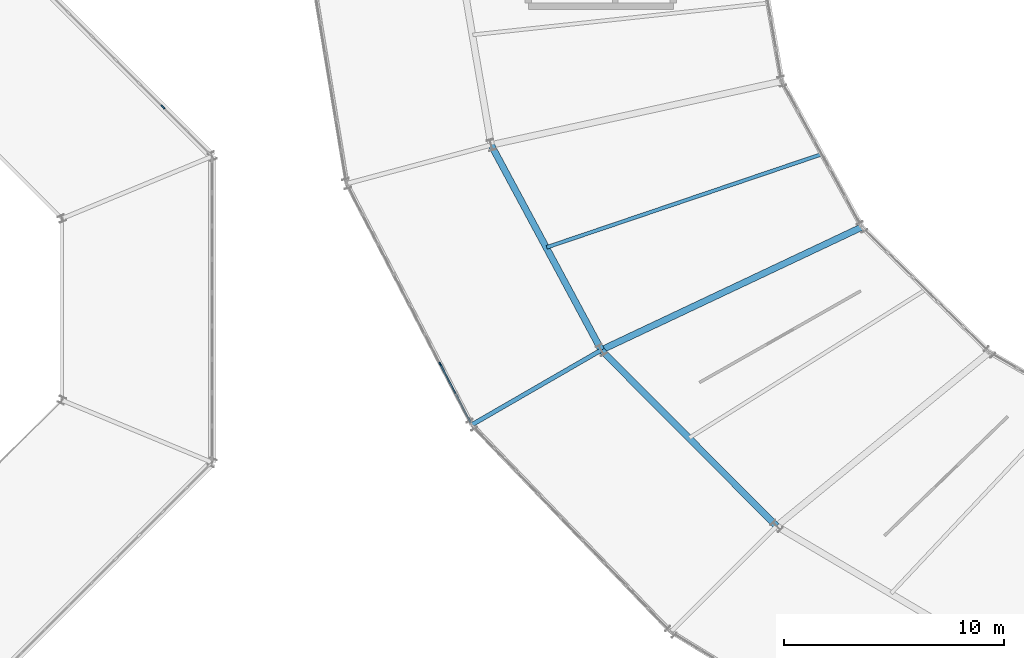
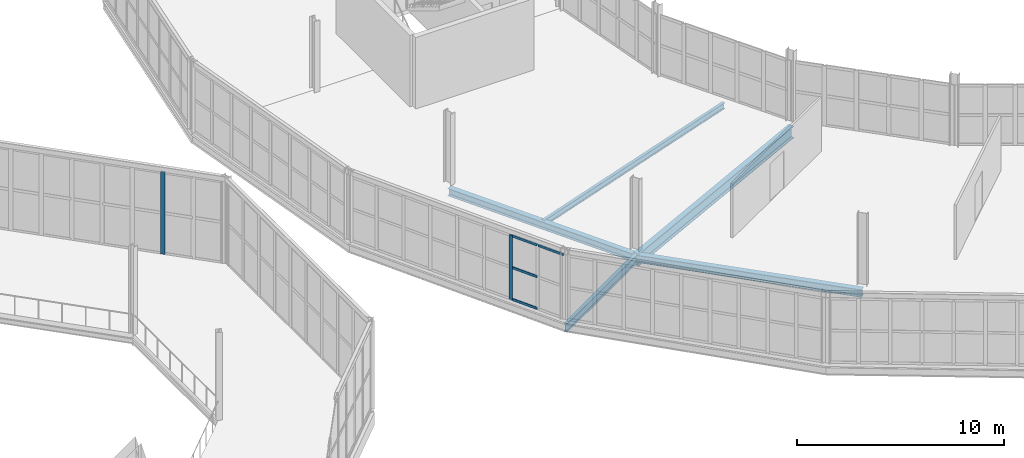
# One storey, part 52 of 161: 6 members, 5 beams, 2 elements without a shape of their own.
"""IFC4 building model written with IfcOpenShell, lengths in metres."""

from ifc_helpers import new_model, si_unit, direction, frame, origin, origin_2d, place, context, subcontext, project, spatial, rectangle, i_section, extrude, material, material_profile, profile_set, type_object, element, aggregate, save


model = new_model("IFC4")

# Units and contexts
model_context = context("Model", 3, precision=1e-05, world=origin(), true_north=direction((0.0, 1.0)))
body_context = subcontext(model_context, "Body", "Model", "MODEL_VIEW")
ifc_project = project(units=[si_unit("LENGTHUNIT", "METRE"), si_unit("AREAUNIT", "SQUARE_METRE"), si_unit("VOLUMEUNIT", "CUBIC_METRE"), si_unit("PLANEANGLEUNIT", "RADIAN"), si_unit("MASSUNIT", "GRAM", prefix="KILO")], contexts=[model_context])

# Site, building, storey
site_placement = place(None, origin())
site = spatial("IfcSite", under=ifc_project, at=site_placement, CompositionType="ELEMENT")
building_placement = place(site_placement, origin())
building = spatial("IfcBuilding", under=site, at=building_placement, Name="Kildeholm Park Wholesale Market", CompositionType="ELEMENT")
storey_placement = place(building_placement, frame((0.0, 0.0, 5.39990234375)))
storey = spatial("IfcBuildingStorey", under=building, at=storey_placement, Name="L01", CompositionType="ELEMENT", Elevation=5.39990234375)

# Beams
ifc_material_1 = material(Name="Steel S355", Category="steel")
ifc_material_profile_1 = material_profile(ifc_material_1, i_section(OverallWidth=0.300048828125, OverallDepth=0.699951171875, WebThickness=0.01708984375, FlangeThickness=0.031982421875, FilletRadius=0.027099609375, at=origin_2d()), Name="HEB 700")
ifc_profile_set_1 = profile_set([ifc_material_profile_1], Name="Steel S355")
beam_type_1 = type_object("IfcBeamType", Name="Beam B-G01 HEB 700", PredefinedType="BEAM", material=ifc_profile_set_1)
beam_1_placement = place(storey_placement, frame((67.389892578125, 75.75, -0.599853515625), z_axis=(-0.904317894242, -0.426859632846, 0.0), x_axis=(0.426859632846, -0.904317894242, 0.0)))
element("IfcBeam", 1, at=beam_1_placement, inside=storey, type_object=beam_type_1, Name="Beam BM-V1-L01-R1-14 BM-0126", PredefinedType="BEAM", context=body_context, shape_type="SweptSolid", body=[
    extrude(i_section(OverallWidth=0.300048828125, OverallDepth=0.699951171875, WebThickness=0.01708984375, FlangeThickness=0.031982421875, FilletRadius=0.027099609375, at=origin_2d()), origin(), (0.0, 0.0, 1.0), 13.119384765625),
])
ifc_material_profile_2 = material_profile(ifc_material_1, i_section(OverallWidth=0.199951171875, OverallDepth=0.5, WebThickness=0.01025390625, FlangeThickness=0.01611328125, FilletRadius=0.02099609375, at=origin_2d()), Name="IPE 500")
ifc_profile_set_2 = profile_set([ifc_material_profile_2], Name="Steel S355")
beam_type_2 = type_object("IfcBeamType", Name="Beam B-P03 IPE 500", PredefinedType="BEAM", material=ifc_profile_set_2)
beam_2_placement = place(storey_placement, frame((55.52587890625, 70.14990234375, -0.5), z_axis=(-0.866029536736, -0.499992841449, 0.0), x_axis=(0.499992841449, -0.866029536736, 0.0)))
element("IfcBeam", 2, at=beam_2_placement, inside=storey, type_object=beam_type_2, Name="Beam BM-V1-L01-R2-14 BM-0128", PredefinedType="BEAM", context=body_context, shape_type="SweptSolid", body=[
    extrude(i_section(OverallWidth=0.199951171875, OverallDepth=0.5, WebThickness=0.01025390625, FlangeThickness=0.01611328125, FilletRadius=0.02099609375, at=origin_2d()), origin(), (0.0, 0.0, 1.0), 6.7998046875),
])
ifc_material_profile_3 = material_profile(ifc_material_1, i_section(OverallWidth=0.300048828125, OverallDepth=0.43994140625, WebThickness=0.011474609375, FlangeThickness=0.02099609375, FilletRadius=0.027099609375, at=origin_2d()), Name="HEA 450")
ifc_profile_set_3 = profile_set([ifc_material_profile_3], Name="Steel S355")
beam_type_3 = type_object("IfcBeamType", Name="Beam B-R02 HEA 450", PredefinedType="BEAM", material=ifc_profile_set_3)
beam_3_placement = place(storey_placement, frame((50.510986328125, 79.48388671875, -0.469970703125), z_axis=(0.473287580572, -0.880907978211, 0.0), x_axis=(0.880907978211, 0.473287580572, 0.0)))
element("IfcBeam", 3, at=beam_3_placement, inside=storey, type_object=beam_type_3, Name="Beam BM-V1-L01-CM-13 BM-0121", PredefinedType="BEAM", context=body_context, shape_type="SweptSolid", body=[
    extrude(i_section(OverallWidth=0.300048828125, OverallDepth=0.43994140625, WebThickness=0.011474609375, FlangeThickness=0.02099609375, FilletRadius=0.027099609375, at=origin_2d()), origin(), (0.0, 0.0, 1.0), 10.595947265625),
])
beam_4_placement = place(storey_placement, frame((55.52587890625, 70.14990234375, -0.469970703125), z_axis=(0.705431576708, -0.708778026313, 0.0), x_axis=(0.708778026313, 0.705431576708, 0.0)))
element("IfcBeam", 4, at=beam_4_placement, inside=storey, type_object=beam_type_3, Name="Beam BM-V1-L01-CM-14 BM-0130", PredefinedType="BEAM", context=body_context, shape_type="SweptSolid", body=[
    extrude(i_section(OverallWidth=0.300048828125, OverallDepth=0.43994140625, WebThickness=0.011474609375, FlangeThickness=0.02099609375, FilletRadius=0.027099609375, at=origin_2d()), origin(), (0.0, 0.0, 1.0), 11.30810546875),
])
ifc_material_profile_4 = material_profile(ifc_material_1, i_section(OverallWidth=0.169921875, OverallDepth=0.360107421875, WebThickness=0.008056640625, FlangeThickness=0.0126953125, FilletRadius=0.01806640625, at=origin_2d()), Name="IPE 360")
ifc_profile_set_4 = profile_set([ifc_material_profile_4], Name="Steel S355")
beam_type_4 = type_object("IfcBeamType", Name="Beam J-04 IPE 360", PredefinedType="JOIST", material=ifc_profile_set_4)
beam_5_placement = place(storey_placement, frame((65.548095703125, 79.0595703125, -0.429931640625), z_axis=(-0.947177362485, -0.320710218103, 0.0), x_axis=(0.320710218103, -0.947177362485, 0.0)))
element("IfcBeam", 5, at=beam_5_placement, inside=storey, type_object=beam_type_4, Name="Beam JT-V1-L01-13 BM-0125", PredefinedType="JOIST", context=body_context, shape_type="SweptSolid", body=[
    extrude(i_section(OverallWidth=0.169921875, OverallDepth=0.360107421875, WebThickness=0.008056640625, FlangeThickness=0.0126953125, FilletRadius=0.01806640625, at=origin_2d()), origin(), (0.0, 0.0, 1.0), 13.20849609375),
])

# Curtain wall, member
ifc_material_2 = material(Name="Anodised aluminium and low-E double-glazed glass", Category="aluminium")
curtain_wall_type_1 = type_object("IfcCurtainWallType", Name="Market hall glazed arcade stick curtain wall CW-01", PredefinedType="NOTDEFINED", material=ifc_material_2)
curtain_wall_1_placement = place(storey_placement, origin())
curtain_wall_1 = element("IfcCurtainWall", 6, at=curtain_wall_1_placement, inside=storey, type_object=curtain_wall_type_1, Name="Curtain wall CW-V1-OT-13-1 CW-0064", PredefinedType="NOTDEFINED")
ifc_material_3 = material(Name="Anodised aluminium", Category="aluminium")
ifc_material_profile_5 = material_profile(ifc_material_3, rectangle(XDim=0.06494140625, YDim=0.179931640625, at=origin_2d()), Name="CWM 65x180")
ifc_profile_set_5 = profile_set([ifc_material_profile_5], Name="Anodised aluminium")
member_type_1 = type_object("IfcMemberType", Name="Curtain-wall mullion CWM-1 CWM 65x180", PredefinedType="MULLION", material=ifc_profile_set_5)
member_1_placement = place(storey_placement, frame((48.19775390625, 69.509033203125, 0.0), z_axis=(0.0, 0.0, 1.0), x_axis=(0.88765224586, 0.460514375909, 0.0)))
member_1 = element("IfcMember", 7, at=member_1_placement, type_object=member_type_1, Name="CW-01 mullion 7 MEM-2127", PredefinedType="MULLION", context=body_context, shape_type="SweptSolid", body=[
    extrude(rectangle(XDim=0.06494140625, YDim=0.179931640625, at=origin_2d()), origin(), (0.0, 0.0, 1.0), 3.800048828125),
])

curtain_wall_type_2 = type_object("IfcCurtainWallType", Name="Clerestory daylight stick curtain wall CW-02", PredefinedType="NOTDEFINED", material=ifc_material_2)
curtain_wall_2_placement = place(storey_placement, origin())
curtain_wall_2 = element("IfcCurtainWall", 8, at=curtain_wall_2_placement, inside=storey, type_object=curtain_wall_type_2, Name="Curtain wall CW-V3-L01-00 CW-0135", PredefinedType="NOTDEFINED")
ifc_material_profile_6 = material_profile(ifc_material_3, rectangle(XDim=0.074951171875, YDim=0.219970703125, at=origin_2d()), Name="CWM 75x220")
ifc_profile_set_6 = profile_set([ifc_material_profile_6], Name="Anodised aluminium")
member_type_2 = type_object("IfcMemberType", Name="Curtain-wall mullion CWM-2 CWM 75x220", PredefinedType="MULLION", material=ifc_profile_set_6)
member_2_placement = place(storey_placement, frame((35.571044921875, 81.208984375, 0.0), z_axis=(0.0, 0.0, 1.0), x_axis=(-0.707106781187, -0.707106781187, 0.0)))
member_2 = element("IfcMember", 9, at=member_2_placement, type_object=member_type_2, Name="CW-02 mullion 3 MEM-4146", PredefinedType="MULLION", context=body_context, shape_type="SweptSolid", body=[
    extrude(rectangle(XDim=0.074951171875, YDim=0.219970703125, at=origin_2d()), origin(), (0.0, 0.0, 1.0), 4.85009765625),
])
aggregate(curtain_wall_2, [member_2])

# Member
ifc_material_profile_7 = material_profile(ifc_material_3, rectangle(XDim=0.06494140625, YDim=0.139892578125, at=origin_2d()), Name="CWT 65x140")
ifc_profile_set_7 = profile_set([ifc_material_profile_7], Name="Anodised aluminium")
member_type_3 = type_object("IfcMemberType", Name="Curtain-wall transom CWT-1 CWT 65x140", PredefinedType="USERDEFINED", material=ifc_profile_set_7)
member_3_placement = place(storey_placement, frame((48.212646484375, 69.480224609375, 0.03271484375), z_axis=(0.460510981056, -0.887654007104, 0.0), x_axis=(0.887654007104, 0.460510981056, 0.0)))
member_3 = element("IfcMember", 10, at=member_3_placement, type_object=member_type_3, Name="CW-01 transom 7.1 MEM-2148", ObjectType="TRANSOM", PredefinedType="USERDEFINED", context=body_context, shape_type="SweptSolid", body=[
    extrude(rectangle(XDim=0.06494140625, YDim=0.139892578125, at=origin_2d()), origin(), (0.0, 0.0, 1.0), 1.470703125),
])

member_4_placement = place(storey_placement, frame((48.212646484375, 69.480224609375, 1.900146484375), z_axis=(0.460510981056, -0.887654007104, 0.0), x_axis=(0.887654007104, 0.460510981056, 0.0)))
member_4 = element("IfcMember", 11, at=member_4_placement, type_object=member_type_3, Name="CW-01 transom 7.2 MEM-2149", ObjectType="TRANSOM", PredefinedType="USERDEFINED", context=body_context, shape_type="SweptSolid", body=[
    extrude(rectangle(XDim=0.06494140625, YDim=0.139892578125, at=origin_2d()), origin(), (0.0, 0.0, 1.0), 1.470703125),
])

member_5_placement = place(storey_placement, frame((48.212646484375, 69.480224609375, 3.767578125), z_axis=(0.460510981056, -0.887654007104, 0.0), x_axis=(0.887654007104, 0.460510981056, 0.0)))
member_5 = element("IfcMember", 12, at=member_5_placement, type_object=member_type_3, Name="CW-01 transom 7.3 MEM-2150", ObjectType="TRANSOM", PredefinedType="USERDEFINED", context=body_context, shape_type="SweptSolid", body=[
    extrude(rectangle(XDim=0.06494140625, YDim=0.139892578125, at=origin_2d()), origin(), (0.0, 0.0, 1.0), 1.470703125),
])

member_6_placement = place(storey_placement, frame((48.919921875, 68.1171875, 3.767578125), z_axis=(0.460406358293, -0.887708277107, 0.0), x_axis=(0.887708277107, 0.460406358293, 0.0)))
member_6 = element("IfcMember", 13, at=member_6_placement, type_object=member_type_3, Name="CW-01 transom 8.3 MEM-2153", ObjectType="TRANSOM", PredefinedType="USERDEFINED", context=body_context, shape_type="SweptSolid", body=[
    extrude(rectangle(XDim=0.06494140625, YDim=0.139892578125, at=origin_2d()), origin(), (0.0, 0.0, 1.0), 1.43798828125),
])

aggregate(curtain_wall_1, [member_1, member_3, member_4, member_5, member_6])

save(model, "model.ifc")
